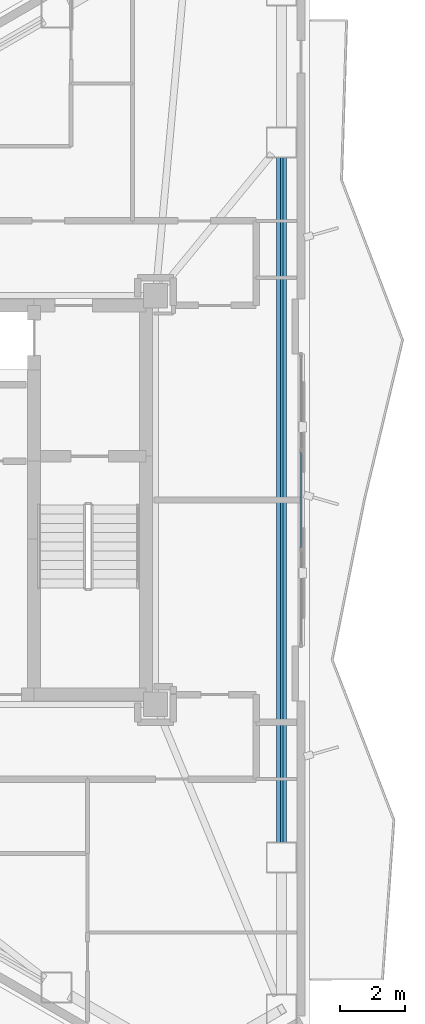
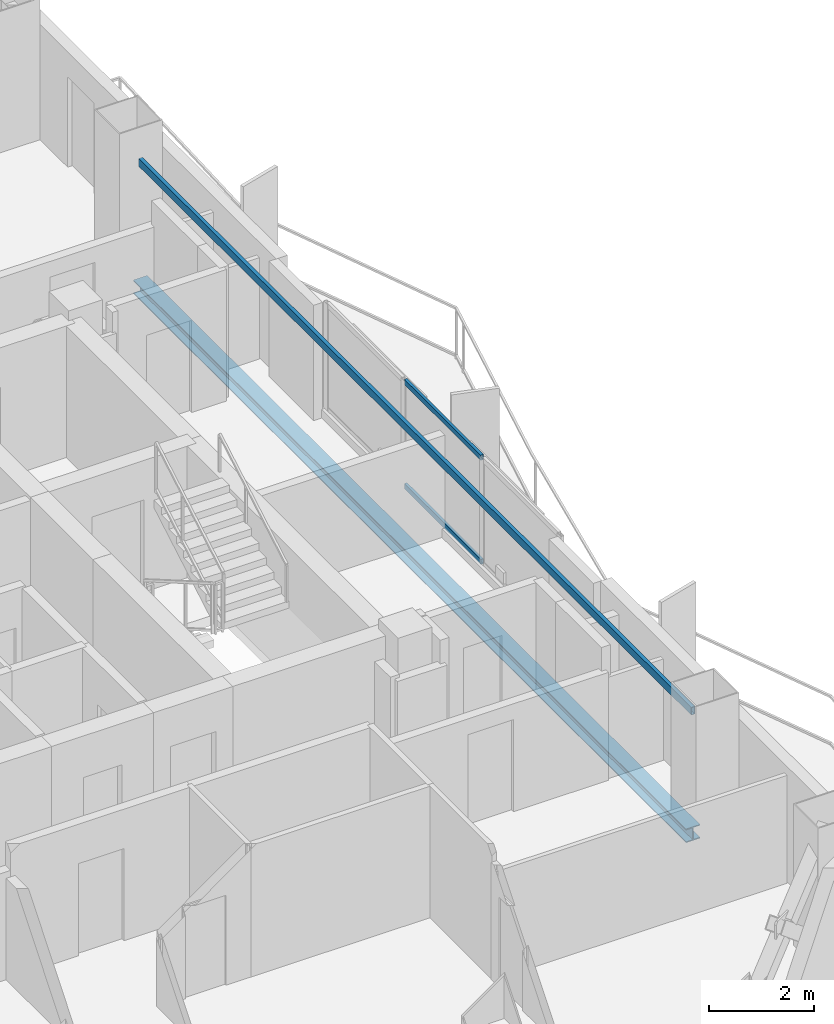
# One storey, part 12 of 21: 2 beams, 2 members, 1 element without a shape of its own.
"""IFC4 building model written with IfcOpenShell, lengths in metres."""

from ifc_helpers import new_model, si_unit, direction, frame, origin, origin_2d, place, context, subcontext, project, spatial, hollow_rectangle, i_section, extrude, material, layer, layer_set, material_profile, profile_set, type_object, element, aggregate, save


model = new_model("IFC4")

# Units and contexts
model_context = context("Model", 3, precision=1e-05, world=origin(), true_north=direction((0.0, 1.0)))
body_context = subcontext(model_context, "Body", "Model", "MODEL_VIEW")
ifc_project = project(units=[si_unit("LENGTHUNIT", "METRE"), si_unit("AREAUNIT", "SQUARE_METRE"), si_unit("VOLUMEUNIT", "CUBIC_METRE"), si_unit("PLANEANGLEUNIT", "RADIAN"), si_unit("MASSUNIT", "GRAM", prefix="KILO")], contexts=[model_context])

# Site, building, storey
site_placement = place(None, origin())
site = spatial("IfcSite", under=ifc_project, at=site_placement, CompositionType="ELEMENT")
building_placement = place(site_placement, origin())
building = spatial("IfcBuilding", under=site, at=building_placement, Name="Mersakhor Tower and Convention Hall", CompositionType="ELEMENT")
storey_placement = place(building_placement, frame((0.0, 0.0, 182.10009765625)))
storey = spatial("IfcBuildingStorey", under=building, at=storey_placement, Name="L50", CompositionType="ELEMENT", Elevation=182.10009765625)

# Beams
ifc_material_1 = material(Name="Steel S355", Category="steel")
ifc_material_profile_1 = material_profile(ifc_material_1, hollow_rectangle(XDim=0.080078125, YDim=0.179931640625, WallThickness=0.008056640625, at=origin_2d()), Name="RHS 180x80x8")
ifc_profile_set_1 = profile_set([ifc_material_profile_1], Name="Steel S355")
beam_type_1 = type_object("IfcBeamType", Name="BM-GRT-RHS180", PredefinedType="USERDEFINED", material=ifc_profile_set_1)
beam_1_placement = place(storey_placement, frame((39.98828125, 37.31787109375, 2.47998046875), z_axis=(0.0, -1.0, 0.0), x_axis=(1.0, 0.0, 0.0)))
element("IfcBeam", 1, at=beam_1_placement, inside=storey, type_object=beam_type_1, Name="L50 Facade Support Girt GRT-F2", ObjectType="GIRT", PredefinedType="USERDEFINED", context=body_context, shape_type="SweptSolid", body=[
    extrude(hollow_rectangle(XDim=0.080078125, YDim=0.179931640625, WallThickness=0.008056640625, at=origin_2d()), origin(), (0.0, 0.0, 1.0), 21.1357421875),
])
ifc_material_2 = material(Name="Steel S355", Category="steel")
ifc_material_profile_2 = material_profile(ifc_material_2, i_section(OverallWidth=0.30908203125, OverallDepth=0.320556640625, WebThickness=0.013916015625, FlangeThickness=0.021728515625, at=origin_2d()), Name="UC 305x305x137")
ifc_profile_set_2 = profile_set([ifc_material_profile_2], Name="Steel S355")
beam_type_2 = type_object("IfcBeamType", Name="BM-SPD-UC305", PredefinedType="SPANDREL", material=ifc_profile_set_2)
beam_2_placement = place(storey_placement, frame((39.98828125, 37.31787109375, -0.390380859375), z_axis=(0.0, -1.0, 0.0), x_axis=(1.0, 0.0, 0.0)))
element("IfcBeam", 2, at=beam_2_placement, inside=storey, type_object=beam_type_2, Name="L50 Perimeter Spandrel Beam SPB-06", PredefinedType="SPANDREL", context=body_context, shape_type="SweptSolid", body=[
    extrude(i_section(OverallWidth=0.30908203125, OverallDepth=0.320556640625, WebThickness=0.013916015625, FlangeThickness=0.021728515625, at=origin_2d()), origin(), (0.0, 0.0, 1.0), 21.1357421875),
])

# Curtain wall, members
ifc_material_3 = material(Name="Dark solar low-E aluminium curtain wall", Category="aluminium")
ifc_layer = layer(ifc_material_3, 0.169921875)
ifc_layer_set = layer_set([ifc_layer], Name="Dark solar low-E aluminium curtain wall")
curtain_wall_type = type_object("IfcCurtainWallType", Name="CW-SYS-02", PredefinedType="USERDEFINED", material=ifc_layer_set)
curtain_wall_placement = place(storey_placement, origin())
curtain_wall = element("IfcCurtainWall", 3, at=curtain_wall_placement, inside=storey, type_object=curtain_wall_type, Name="L50 Dark-Glass Curtain Wall F2-B2", ObjectType="CURTAIN WALL", PredefinedType="USERDEFINED")
ifc_material_4 = material(Name="Anodised aluminium EN AW-6063 T6", Category="aluminium")
ifc_material_profile_3 = material_profile(ifc_material_4, hollow_rectangle(XDim=0.06005859375, YDim=0.1201171875, WallThickness=0.0048828125, at=origin_2d()), Name="RHS 120x60x5")
ifc_profile_set_3 = profile_set([ifc_material_profile_3], Name="Anodised aluminium EN AW-6063 T6")
member_type = type_object("IfcMemberType", Name="CWT-120x60", PredefinedType="USERDEFINED", material=ifc_profile_set_3)
member_1_placement = place(storey_placement, frame((40.58837890625, 28.21240234375, 0.22998046875), z_axis=(0.0, -1.0, 0.0), x_axis=(1.0, 0.0, 0.0)))
member_1 = element("IfcMember", 4, at=member_1_placement, type_object=member_type, Name="CW-02 transom 2.1", ObjectType="TRANSOM", PredefinedType="USERDEFINED", context=body_context, shape_type="SweptSolid", body=[
    extrude(hollow_rectangle(XDim=0.06005859375, YDim=0.1201171875, WallThickness=0.0048828125, at=origin_2d()), origin(), (0.0, 0.0, 1.0), 2.9248046875),
])
member_2_placement = place(storey_placement, frame((40.58837890625, 28.21240234375, 2.659912109375), z_axis=(0.0, -1.0, 0.0), x_axis=(1.0, 0.0, 0.0)))
member_2 = element("IfcMember", 5, at=member_2_placement, type_object=member_type, Name="CW-02 transom 2.2", ObjectType="TRANSOM", PredefinedType="USERDEFINED", context=body_context, shape_type="SweptSolid", body=[
    extrude(hollow_rectangle(XDim=0.06005859375, YDim=0.1201171875, WallThickness=0.0048828125, at=origin_2d()), origin(), (0.0, 0.0, 1.0), 2.9248046875),
])
aggregate(curtain_wall, [member_1, member_2])

save(model, "model.ifc")
